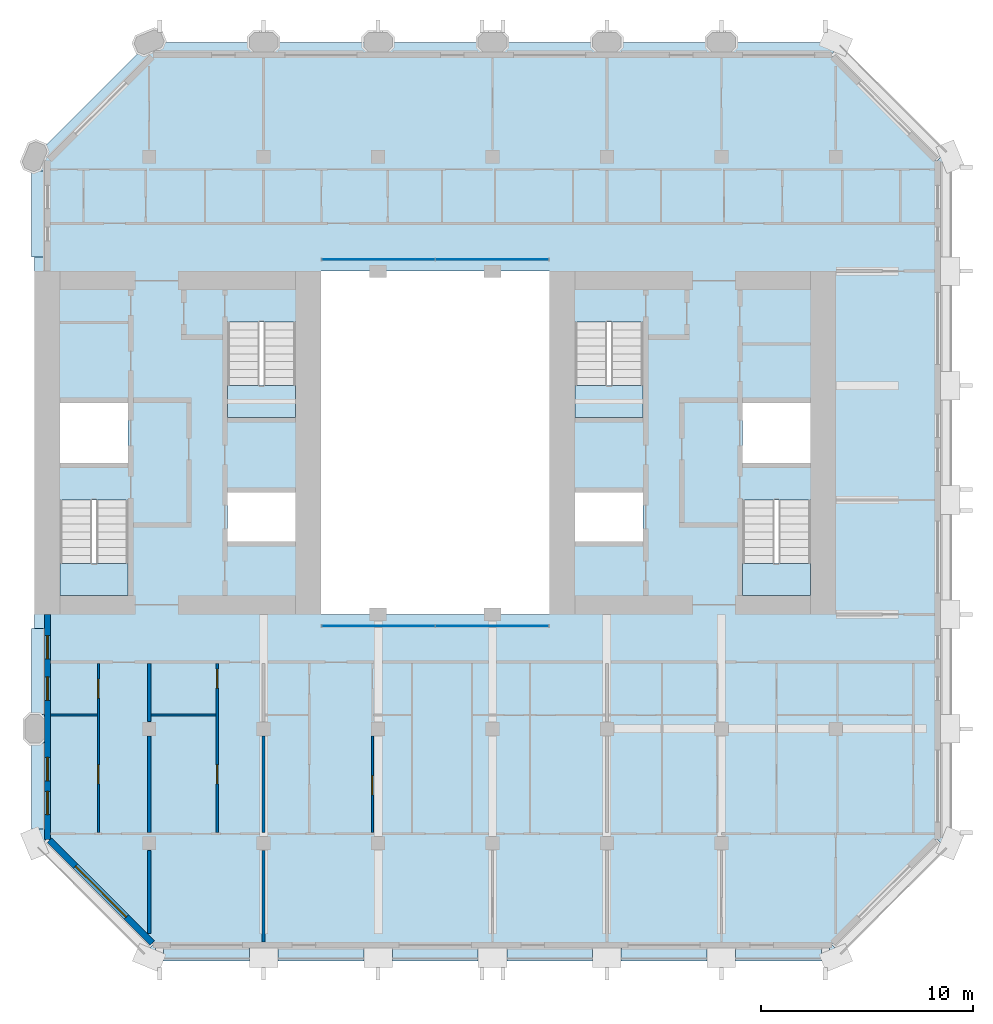
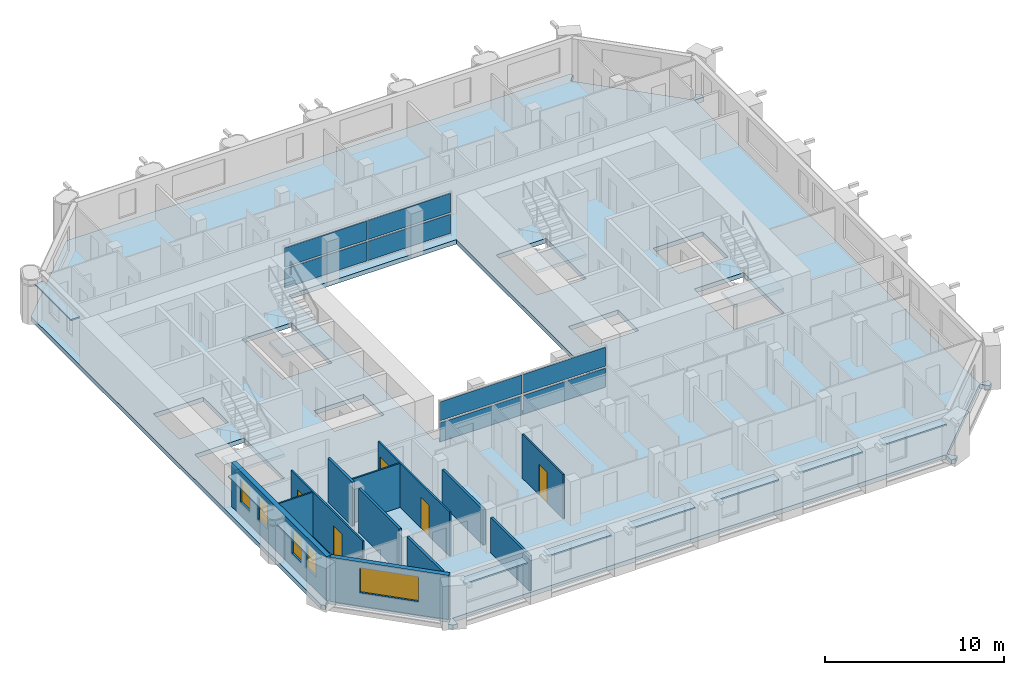
# One storey, part 5 of 14: 17 plates, 12 walls, 5 doors, 5 slabs, 5 windows, 10 openings, 6 elements without a shape of their own.
"""IFC4 building model written with IfcOpenShell, lengths in metres."""

from ifc_helpers import new_model, si_unit, direction, frame, frame_2d, origin, origin_2d, place, context, subcontext, project, spatial, polyline, rectangle, outline, extrude, material, layer, layer_set, type_object, element, fill, aggregate, save


model = new_model("IFC4")

# Units and contexts
model_context = context("Model", 3, precision=1e-05, world=origin(), true_north=direction((0.0, 1.0)))
body_context = subcontext(model_context, "Body", "Model", "MODEL_VIEW")
ifc_project = project(units=[si_unit("LENGTHUNIT", "METRE"), si_unit("AREAUNIT", "SQUARE_METRE"), si_unit("VOLUMEUNIT", "CUBIC_METRE"), si_unit("PLANEANGLEUNIT", "RADIAN"), si_unit("MASSUNIT", "GRAM", prefix="KILO")], contexts=[model_context])

# Site, building, storey
site_placement = place(None, origin())
site = spatial("IfcSite", under=ifc_project, at=site_placement, CompositionType="ELEMENT")
building_placement = place(site_placement, origin())
building = spatial("IfcBuilding", under=site, at=building_placement, Name="Tabaq Tower and Sports Hall", CompositionType="ELEMENT")
storey_placement = place(building_placement, frame((0.0, 0.0, 285.10009765625)))
storey = spatial("IfcBuildingStorey", under=building, at=storey_placement, Name="L70", CompositionType="ELEMENT", Elevation=285.10009765625)

# Curtain wall, plates
ifc_material_1 = material(Name="Aluminium alloy 6063-T6 framed glazing", Category="aluminium")
curtain_wall_type = type_object("IfcCurtainWallType", Name="CW1 curtain wall", PredefinedType="USERDEFINED", material=ifc_material_1)
curtain_wall_1_placement = place(storey_placement, origin())
curtain_wall_1 = element("IfcCurtainWall", 1, at=curtain_wall_1_placement, inside=storey, type_object=curtain_wall_type, Name="Atrium glazing L70 S", ObjectType="ATRIUM ENCLOSURE", PredefinedType="USERDEFINED")
ifc_material_2 = material(Name="Clear low-emissivity glass 28 mm", Category="glass")
ifc_layer_1 = layer(ifc_material_2, 0.028076171875)
ifc_layer_set_1 = layer_set([ifc_layer_1], Name="CW1 glass panel 28")
plate_type_1 = type_object("IfcPlateType", Name="CW1 glass panel 28", PredefinedType="CURTAIN_PANEL", material=ifc_layer_set_1)
plate_1_placement = place(storey_placement, frame((21.614990234375, 15.64990234375, 0.139892578125), z_axis=(0.0, 0.0, 1.0), x_axis=(1.0, 0.0, 0.0)))
plate_1 = element("IfcPlate", 2, at=plate_1_placement, type_object=plate_type_1, Name="CW1 panel 1.1", PredefinedType="CURTAIN_PANEL", context=body_context, shape_type="SweptSolid", body=[
    extrude(rectangle(XDim=5.31005859375, YDim=0.028076171875, at=origin_2d()), origin(), (0.0, 0.0, 1.0), 1.2900390625),
])
plate_2_placement = place(storey_placement, frame((21.614990234375, 15.64990234375, 1.56982421875), z_axis=(0.0, 0.0, 1.0), x_axis=(1.0, 0.0, 0.0)))
plate_2 = element("IfcPlate", 3, at=plate_2_placement, type_object=plate_type_1, Name="CW1 panel 1.2", PredefinedType="CURTAIN_PANEL", context=body_context, shape_type="SweptSolid", body=[
    extrude(rectangle(XDim=5.31005859375, YDim=0.028076171875, at=origin_2d()), origin(), (0.0, 0.0, 1.0), 1.2900390625),
])
plate_3_placement = place(storey_placement, frame((26.985107421875, 15.64990234375, 0.139892578125), z_axis=(0.0, 0.0, 1.0), x_axis=(1.0, 0.0, 0.0)))
plate_3 = element("IfcPlate", 4, at=plate_3_placement, type_object=plate_type_1, Name="CW1 panel 2.1", PredefinedType="CURTAIN_PANEL", context=body_context, shape_type="SweptSolid", body=[
    extrude(rectangle(XDim=5.31005859375, YDim=0.028076171875, at=origin_2d()), origin(), (0.0, 0.0, 1.0), 1.2900390625),
])
plate_4_placement = place(storey_placement, frame((26.985107421875, 15.64990234375, 1.56982421875), z_axis=(0.0, 0.0, 1.0), x_axis=(1.0, 0.0, 0.0)))
plate_4 = element("IfcPlate", 5, at=plate_4_placement, type_object=plate_type_1, Name="CW1 panel 2.2", PredefinedType="CURTAIN_PANEL", context=body_context, shape_type="SweptSolid", body=[
    extrude(rectangle(XDim=5.31005859375, YDim=0.028076171875, at=origin_2d()), origin(), (0.0, 0.0, 1.0), 1.2900390625),
])
aggregate(curtain_wall_1, [plate_1, plate_2, plate_3, plate_4])

curtain_wall_2_placement = place(storey_placement, origin())
curtain_wall_2 = element("IfcCurtainWall", 6, at=curtain_wall_2_placement, inside=storey, type_object=curtain_wall_type, Name="Atrium glazing L70 N", ObjectType="ATRIUM ENCLOSURE", PredefinedType="USERDEFINED")
plate_5_placement = place(storey_placement, frame((21.614990234375, 32.949951171875, 0.139892578125), z_axis=(0.0, 0.0, 1.0), x_axis=(1.0, 0.0, 0.0)))
plate_5 = element("IfcPlate", 7, at=plate_5_placement, type_object=plate_type_1, Name="CW1 panel 1.1", PredefinedType="CURTAIN_PANEL", context=body_context, shape_type="SweptSolid", body=[
    extrude(rectangle(XDim=5.31005859375, YDim=0.028076171875, at=origin_2d()), origin(), (0.0, 0.0, 1.0), 1.2900390625),
])
plate_6_placement = place(storey_placement, frame((21.614990234375, 32.949951171875, 1.56982421875), z_axis=(0.0, 0.0, 1.0), x_axis=(1.0, 0.0, 0.0)))
plate_6 = element("IfcPlate", 8, at=plate_6_placement, type_object=plate_type_1, Name="CW1 panel 1.2", PredefinedType="CURTAIN_PANEL", context=body_context, shape_type="SweptSolid", body=[
    extrude(rectangle(XDim=5.31005859375, YDim=0.028076171875, at=origin_2d()), origin(), (0.0, 0.0, 1.0), 1.2900390625),
])
plate_7_placement = place(storey_placement, frame((26.985107421875, 32.949951171875, 0.139892578125), z_axis=(0.0, 0.0, 1.0), x_axis=(1.0, 0.0, 0.0)))
plate_7 = element("IfcPlate", 9, at=plate_7_placement, type_object=plate_type_1, Name="CW1 panel 2.1", PredefinedType="CURTAIN_PANEL", context=body_context, shape_type="SweptSolid", body=[
    extrude(rectangle(XDim=5.31005859375, YDim=0.028076171875, at=origin_2d()), origin(), (0.0, 0.0, 1.0), 1.2900390625),
])
plate_8_placement = place(storey_placement, frame((26.985107421875, 32.949951171875, 1.56982421875), z_axis=(0.0, 0.0, 1.0), x_axis=(1.0, 0.0, 0.0)))
plate_8 = element("IfcPlate", 10, at=plate_8_placement, type_object=plate_type_1, Name="CW1 panel 2.2", PredefinedType="CURTAIN_PANEL", context=body_context, shape_type="SweptSolid", body=[
    extrude(rectangle(XDim=5.31005859375, YDim=0.028076171875, at=origin_2d()), origin(), (0.0, 0.0, 1.0), 1.2900390625),
])
aggregate(curtain_wall_2, [plate_5, plate_6, plate_7, plate_8])

# Stair, slab
ifc_material_3 = material(Name="Concrete C40/50", Category="concrete")
stair_type = type_object("IfcStairType", Name="Exit stair", PredefinedType="HALF_TURN_STAIR", material=ifc_material_3)
stair_1_placement = place(storey_placement, origin())
stair_1 = element("IfcStair", 11, at=stair_1_placement, inside=storey, type_object=stair_type, Name="L70 Exit stair ST1", PredefinedType="HALF_TURN_STAIR")
ifc_material_4 = material(Name="Concrete C40/50", Category="concrete")
ifc_layer_2 = layer(ifc_material_4, 0.199951171875)
ifc_layer_set_2 = layer_set([ifc_layer_2], Name="Exit stair landing")
slab_type_1 = type_object("IfcSlabType", Name="Exit stair landing", PredefinedType="LANDING", material=ifc_layer_set_2)
slab_1_placement = place(storey_placement, frame((0.0, 0.0, 1.449951171875)))
slab_1 = element("IfcSlab", 12, at=slab_1_placement, type_object=slab_type_1, Name="ST1 landing 1", PredefinedType="LANDING", context=body_context, shape_type="SweptSolid", body=[
    extrude(outline(polyline([(6.60009765625, 18.60009765625), (6.60009765625, 17.10009765625), (9.800048828125, 17.10009765625), (9.800048828125, 18.60009765625), (6.60009765625, 18.60009765625)])), origin(), (0.0, 0.0, 1.0), 0.199951171875),
])
aggregate(stair_1, [slab_1])

stair_2_placement = place(storey_placement, origin())
stair_2 = element("IfcStair", 13, at=stair_2_placement, inside=storey, type_object=stair_type, Name="L70 Exit stair ST2", PredefinedType="HALF_TURN_STAIR")
slab_2_placement = place(storey_placement, frame((0.0, 0.0, 1.449951171875)))
slab_2 = element("IfcSlab", 14, at=slab_2_placement, type_object=slab_type_1, Name="ST2 landing 1", PredefinedType="LANDING", context=body_context, shape_type="SweptSolid", body=[
    extrude(outline(polyline([(14.5, 27.0), (14.5, 25.5), (17.699951171875, 25.5), (17.699951171875, 27.0), (14.5, 27.0)])), origin(), (0.0, 0.0, 1.0), 0.199951171875),
])
aggregate(stair_2, [slab_2])

stair_3_placement = place(storey_placement, origin())
stair_3 = element("IfcStair", 15, at=stair_3_placement, inside=storey, type_object=stair_type, Name="L70 Exit stair ST3", PredefinedType="HALF_TURN_STAIR")
slab_3_placement = place(storey_placement, frame((0.0, 0.0, 1.449951171875)))
slab_3 = element("IfcSlab", 16, at=slab_3_placement, type_object=slab_type_1, Name="ST3 landing 1", PredefinedType="LANDING", context=body_context, shape_type="SweptSolid", body=[
    extrude(outline(polyline([(38.800048828125, 18.60009765625), (38.800048828125, 17.10009765625), (42.0, 17.10009765625), (42.0, 18.60009765625), (38.800048828125, 18.60009765625)])), origin(), (0.0, 0.0, 1.0), 0.199951171875),
])
aggregate(stair_3, [slab_3])

stair_4_placement = place(storey_placement, origin())
stair_4 = element("IfcStair", 17, at=stair_4_placement, inside=storey, type_object=stair_type, Name="L70 Exit stair ST4", PredefinedType="HALF_TURN_STAIR")
slab_4_placement = place(storey_placement, frame((0.0, 0.0, 1.449951171875)))
slab_4 = element("IfcSlab", 18, at=slab_4_placement, type_object=slab_type_1, Name="ST4 landing 1", PredefinedType="LANDING", context=body_context, shape_type="SweptSolid", body=[
    extrude(outline(polyline([(30.89990234375, 27.0), (30.89990234375, 25.5), (34.10009765625, 25.5), (34.10009765625, 27.0), (30.89990234375, 27.0)])), origin(), (0.0, 0.0, 1.0), 0.199951171875),
])
aggregate(stair_4, [slab_4])

# Slab
ifc_material_5 = material(Name="Concrete C40/50", Category="concrete")
ifc_layer_3 = layer(ifc_material_5, 0.300048828125)
ifc_layer_set_3 = layer_set([ifc_layer_3], Name="PT FLOOR SLAB 300 C40/50")
slab_type_2 = type_object("IfcSlabType", Name="PT FLOOR SLAB 300 C40/50", PredefinedType="FLOOR", material=ifc_layer_set_3)
slab_5_placement = place(storey_placement, frame((0.0, 0.0, -0.300048828125)))
element("IfcSlab", 19, at=slab_5_placement, inside=storey, type_object=slab_type_2, Name="Floor Slab L70", PredefinedType="FLOOR", context=body_context, shape_type="SweptSolid", body=[
    extrude(outline(polyline([(5.39990234375, 37.800048828125), (5.39990234375, 5.39990234375), (5.57666015625, 5.22314453125), (5.930419921875, 5.57666015625), (6.0009765625, 5.6474609375), (11.01318359375, 0.63525390625), (10.5888671875, 0.211181640625), (10.800048828125, 0.0), (11.0986328125, 0.0), (11.0986328125, 0.5), (11.0986328125, 0.60009765625), (42.9013671875, 0.60009765625), (42.9013671875, 0.5), (42.9013671875, 0.0), (43.199951171875, 0.0), (43.4111328125, 0.211181640625), (42.98681640625, 0.63525390625), (47.964599609375, 5.61328125), (48.035400390625, 5.54248046875), (48.388916015625, 5.18896484375), (48.60009765625, 5.39990234375), (48.60009765625, 5.698486328125), (48.10009765625, 5.698486328125), (48.0, 5.698486328125), (48.0, 37.50146484375), (48.10009765625, 37.50146484375), (48.60009765625, 37.50146484375), (48.60009765625, 37.800048828125), (48.388916015625, 38.010986328125), (48.035400390625, 37.657470703125), (47.964599609375, 37.5869140625), (42.952392578125, 42.598876953125), (43.023193359375, 42.669677734375), (43.376708984375, 43.023193359375), (43.199951171875, 43.199951171875), (10.800048828125, 43.199951171875), (5.39990234375, 37.800048828125)]), holes=[polyline([(6.60009765625, 21.599365234375), (9.800048828125, 21.599365234375), (9.800048828125, 17.10009765625), (6.60009765625, 17.10009765625), (6.60009765625, 21.599365234375)]), polyline([(38.800048828125, 21.599365234375), (42.0, 21.599365234375), (42.0, 17.10009765625), (38.800048828125, 17.10009765625), (38.800048828125, 21.599365234375)]), polyline([(14.5, 21.949951171875), (17.699951171875, 21.949951171875), (17.699951171875, 19.64990234375), (14.5, 19.64990234375), (14.5, 21.949951171875)]), polyline([(30.89990234375, 21.949951171875), (34.10009765625, 21.949951171875), (34.10009765625, 19.64990234375), (30.89990234375, 19.64990234375), (30.89990234375, 21.949951171875)]), polyline([(18.89990234375, 16.199951171875), (18.89990234375, 32.39990234375), (29.699951171875, 32.39990234375), (29.699951171875, 16.199951171875), (18.89990234375, 16.199951171875)]), polyline([(6.60009765625, 26.175048828125), (9.800048828125, 26.175048828125), (9.800048828125, 23.35009765625), (6.60009765625, 23.35009765625), (6.60009765625, 26.175048828125)]), polyline([(38.800048828125, 26.175048828125), (42.0, 26.175048828125), (42.0, 23.35009765625), (38.800048828125, 23.35009765625), (38.800048828125, 26.175048828125)]), polyline([(17.699951171875, 29.99951171875), (17.699951171875, 25.5), (14.5, 25.5), (14.5, 29.99951171875), (17.699951171875, 29.99951171875)]), polyline([(34.10009765625, 29.99951171875), (34.10009765625, 25.5), (30.89990234375, 25.5), (30.89990234375, 29.99951171875), (34.10009765625, 29.99951171875)])]), origin(), (0.0, 0.0, 1.0), 0.300048828125),
])

# Plates
ifc_material_6 = material(Name="White precast concrete C60/75 blade", Category="concrete")
ifc_layer_4 = layer(ifc_material_6, 0.10009765625)
ifc_layer_set_4 = layer_set([ifc_layer_4], Name="White precast concrete C60/75 sunshade 100")
plate_type_2 = type_object("IfcPlateType", Name="White precast concrete C60/75 sunshade 100", PredefinedType="USERDEFINED", material=ifc_layer_set_4)
for number, where, z_axis, x_axis, name in (
    (20, (13.5, 0.14990234375, 2.599853515625), (0.0, 0.0, 1.0), (1.0, 0.0, 0.0), "Sunshade L70 S"),
    (21, (18.89990234375, 0.14990234375, 2.599853515625), (0.0, 0.0, 1.0), (1.0, 0.0, 0.0), "Sunshade L70 S"),
    (22, (24.300048828125, 0.14990234375, 2.599853515625), (0.0, 0.0, 1.0), (1.0, 0.0, 0.0), "Sunshade L70 S"),
    (23, (29.699951171875, 0.14990234375, 2.599853515625), (0.0, 0.0, 1.0), (1.0, 0.0, 0.0), "Sunshade L70 S"),
    (24, (35.10009765625, 0.14990234375, 2.599853515625), (0.0, 0.0, 1.0), (1.0, 0.0, 0.0), "Sunshade L70 S"),
    (25, (40.5, 0.14990234375, 2.599853515625), (0.0, 0.0, 1.0), (1.0, 0.0, 0.0), "Sunshade L70 S"),
    (26, (5.550048828125, 35.10009765625, 2.599853515625), (0.0, 0.0, 1.0), (0.0, -1.0, 0.0), "Sunshade L70 W"),
    (27, (5.550048828125, 13.5, 2.599853515625), (0.0, 0.0, 1.0), (0.0, -1.0, 0.0), "Sunshade L70 W"),
    (28, (5.550048828125, 8.10009765625, 2.599853515625), (0.0, 0.0, 1.0), (0.0, -1.0, 0.0), "Sunshade L70 W"),
):
    element("IfcPlate", number, at=place(storey_placement, frame(where, z_axis=z_axis, x_axis=x_axis)), inside=storey, type_object=plate_type_2, Name=name, ObjectType="SUNSHADE", PredefinedType="USERDEFINED", context=body_context, shape_type="SweptSolid", body=[
        extrude(rectangle(XDim=4.050048828125, YDim=0.60009765625, at=origin_2d()), origin(), (0.0, 0.0, 1.0), 0.10009765625),
    ])

# Wall
ifc_material_7 = material(Name="Gypsum board on steel studs", Category="steel")
ifc_layer_5 = layer(ifc_material_7, 0.10009765625)
ifc_layer_set_5 = layer_set([ifc_layer_5], Name="Partition 100 Gypsum board")
wall_type_1 = type_object("IfcWallType", Name="Partition 100 Gypsum board", PredefinedType="PARTITIONING", material=ifc_layer_set_5)
wall_1_placement = place(storey_placement, frame((8.35009765625, 11.449951171875, 0.0), z_axis=(0.0, 0.0, 1.0), x_axis=(-1.0, 0.0, 0.0)))
element("IfcWall", 29, at=wall_1_placement, inside=storey, type_object=wall_type_1, Name="Partition wall L70", PredefinedType="PARTITIONING", context=body_context, shape_type="SweptSolid", body=[
    extrude(rectangle(XDim=2.19921875, YDim=0.10009765625, at=frame_2d((1.099609375, 0.0))), origin(), (0.0, 0.0, 1.0), 3.0),
])

# Wall, openings, doors
wall_2_placement = place(storey_placement, frame((8.39990234375, 5.89990234375, 0.0), z_axis=(0.0, 0.0, 1.0), x_axis=(0.0, 1.0, 0.0)))
wall_2 = element("IfcWall", 30, at=wall_2_placement, inside=storey, type_object=wall_type_1, Name="Partition wall L70", PredefinedType="PARTITIONING", context=body_context, shape_type="SweptSolid", body=[
    extrude(rectangle(XDim=7.97509765625, YDim=0.10009765625, at=frame_2d((3.987548828125, 0.0))), origin(), (0.0, 0.0, 1.0), 3.0),
])
opening_1_placement = place(wall_2_placement, frame((6.35009765625, 0.0, 0.0)))
opening_1 = element("IfcOpeningElement", 31, at=opening_1_placement, cuts=wall_2, Name="Opening L70-013", PredefinedType="OPENING", context=body_context, shape_type="SweptSolid", body=[
    extrude(rectangle(XDim=0.89990234375, YDim=2.10009765625, at=frame_2d((0.449951171875, 1.050048828125))), frame((0.0, 0.050048828125, 0.0), z_axis=(0.0, -1.0, 0.0), x_axis=(1.0, 0.0, 0.0)), (0.0, 0.0, 1.0), 0.10009765625),
])
opening_2_placement = place(wall_2_placement, frame((2.300048828125, 0.0, 0.0)))
opening_2 = element("IfcOpeningElement", 32, at=opening_2_placement, cuts=wall_2, Name="Opening L70-036", PredefinedType="OPENING", context=body_context, shape_type="SweptSolid", body=[
    extrude(rectangle(XDim=0.89990234375, YDim=2.10009765625, at=frame_2d((0.449951171875, 1.050048828125))), frame((0.0, 0.050048828125, 0.0), z_axis=(0.0, -1.0, 0.0), x_axis=(1.0, 0.0, 0.0)), (0.0, 0.0, 1.0), 0.10009765625),
])
ifc_material_8 = material(Name="Timber leaf in steel frame", Category="steel")
door_type_1 = type_object("IfcDoorType", Name="Internal door 900 left hand", OperationType="SINGLE_SWING_LEFT", PredefinedType="DOOR", material=ifc_material_8)
door_1_placement = place(opening_1_placement, origin())
door_1 = element("IfcDoor", 33, at=door_1_placement, inside=storey, type_object=door_type_1, Name="Internal door L70-013", OperationType="SINGLE_SWING_LEFT", OverallHeight=2.10009765625, OverallWidth=0.89990234375, PredefinedType="DOOR", context=body_context, shape_type="SweptSolid", body=[
    extrude(rectangle(XDim=0.89990234375, YDim=2.10009765625, at=frame_2d((0.449951171875, 1.050048828125))), frame((0.0, 0.02490234375, 0.0), z_axis=(0.0, -1.0, 0.0), x_axis=(1.0, 0.0, 0.0)), (0.0, 0.0, 1.0), 0.050048828125),
])
fill(opening_1, door_1)
ifc_material_9 = material(Name="Timber leaf in steel frame", Category="steel")
door_type_2 = type_object("IfcDoorType", Name="Internal door 900 right hand", OperationType="SINGLE_SWING_RIGHT", PredefinedType="DOOR", material=ifc_material_9)
door_2_placement = place(opening_2_placement, origin())
door_2 = element("IfcDoor", 34, at=door_2_placement, inside=storey, type_object=door_type_2, Name="Internal door L70-036", OperationType="SINGLE_SWING_RIGHT", OverallHeight=2.10009765625, OverallWidth=0.89990234375, PredefinedType="DOOR", context=body_context, shape_type="SweptSolid", body=[
    extrude(rectangle(XDim=0.89990234375, YDim=2.10009765625, at=frame_2d((0.449951171875, 1.050048828125))), frame((0.0, 0.02490234375, 0.0), z_axis=(0.0, -1.0, 0.0), x_axis=(1.0, 0.0, 0.0)), (0.0, 0.0, 1.0), 0.050048828125),
])
fill(opening_2, door_2)

# Wall
wall_3_placement = place(storey_placement, frame((13.9599609375, 11.449951171875, 0.0), z_axis=(0.0, 0.0, 1.0), x_axis=(-1.0, 0.0, 0.0)))
element("IfcWall", 35, at=wall_3_placement, inside=storey, type_object=wall_type_1, Name="Partition wall L70", PredefinedType="PARTITIONING", context=body_context, shape_type="SweptSolid", body=[
    extrude(rectangle(XDim=3.0849609375, YDim=0.10009765625, at=frame_2d((1.54248046875, 0.0))), origin(), (0.0, 0.0, 1.0), 3.0),
])

# Wall, openings, doors
wall_4_placement = place(storey_placement, frame((14.010009765625, 5.89990234375, 0.0), z_axis=(0.0, 0.0, 1.0), x_axis=(0.0, 1.0, 0.0)))
wall_4 = element("IfcWall", 36, at=wall_4_placement, inside=storey, type_object=wall_type_1, Name="Partition wall L70", PredefinedType="PARTITIONING", context=body_context, shape_type="SweptSolid", body=[
    extrude(rectangle(XDim=7.97509765625, YDim=0.10009765625, at=frame_2d((3.987548828125, 0.0))), origin(), (0.0, 0.0, 1.0), 3.0),
])
opening_3_placement = place(wall_4_placement, frame((6.824951171875, 0.0, 0.0)))
opening_3 = element("IfcOpeningElement", 37, at=opening_3_placement, cuts=wall_4, Name="Opening L70-014", PredefinedType="OPENING", context=body_context, shape_type="SweptSolid", body=[
    extrude(rectangle(XDim=0.89990234375, YDim=2.10009765625, at=frame_2d((0.449951171875, 1.050048828125))), frame((0.0, 0.050048828125, 0.0), z_axis=(0.0, -1.0, 0.0), x_axis=(1.0, 0.0, 0.0)), (0.0, 0.0, 1.0), 0.10009765625),
])
opening_4_placement = place(wall_4_placement, frame((2.300048828125, 0.0, 0.0)))
opening_4 = element("IfcOpeningElement", 38, at=opening_4_placement, cuts=wall_4, Name="Opening L70-039", PredefinedType="OPENING", context=body_context, shape_type="SweptSolid", body=[
    extrude(rectangle(XDim=0.89990234375, YDim=2.10009765625, at=frame_2d((0.449951171875, 1.050048828125))), frame((0.0, 0.050048828125, 0.0), z_axis=(0.0, -1.0, 0.0), x_axis=(1.0, 0.0, 0.0)), (0.0, 0.0, 1.0), 0.10009765625),
])
door_3_placement = place(opening_4_placement, origin())
door_3 = element("IfcDoor", 39, at=door_3_placement, inside=storey, type_object=door_type_1, Name="Internal door L70-039", OperationType="SINGLE_SWING_LEFT", OverallHeight=2.10009765625, OverallWidth=0.89990234375, PredefinedType="DOOR", context=body_context, shape_type="SweptSolid", body=[
    extrude(rectangle(XDim=0.89990234375, YDim=2.10009765625, at=frame_2d((0.449951171875, 1.050048828125))), frame((0.0, 0.02490234375, 0.0), z_axis=(0.0, -1.0, 0.0), x_axis=(1.0, 0.0, 0.0)), (0.0, 0.0, 1.0), 0.050048828125),
])
fill(opening_4, door_3)
door_4_placement = place(opening_3_placement, origin())
door_4 = element("IfcDoor", 40, at=door_4_placement, inside=storey, type_object=door_type_2, Name="Internal door L70-014", OperationType="SINGLE_SWING_RIGHT", OverallHeight=2.10009765625, OverallWidth=0.89990234375, PredefinedType="DOOR", context=body_context, shape_type="SweptSolid", body=[
    extrude(rectangle(XDim=0.89990234375, YDim=2.10009765625, at=frame_2d((0.449951171875, 1.050048828125))), frame((0.0, 0.02490234375, 0.0), z_axis=(0.0, -1.0, 0.0), x_axis=(1.0, 0.0, 0.0)), (0.0, 0.0, 1.0), 0.050048828125),
])
fill(opening_3, door_4)

# Wall, opening, door
wall_5_placement = place(storey_placement, frame((21.3310546875, 5.89990234375, 0.0), z_axis=(0.0, 0.0, 1.0), x_axis=(0.0, 1.0, 0.0)))
wall_5 = element("IfcWall", 41, at=wall_5_placement, inside=storey, type_object=wall_type_1, Name="Partition wall L70", PredefinedType="PARTITIONING", context=body_context, shape_type="SweptSolid", body=[
    extrude(rectangle(XDim=4.55517578125, YDim=0.10009765625, at=frame_2d((2.277587890625, 0.0))), origin(), (0.0, 0.0, 1.0), 3.0),
])
opening_5_placement = place(wall_5_placement, frame((1.787109375, 0.0, 0.0)))
opening_5 = element("IfcOpeningElement", 42, at=opening_5_placement, cuts=wall_5, Name="Opening L70-017", PredefinedType="OPENING", context=body_context, shape_type="SweptSolid", body=[
    extrude(rectangle(XDim=0.89990234375, YDim=2.10009765625, at=frame_2d((0.449951171875, 1.050048828125))), frame((0.0, 0.050048828125, 0.0), z_axis=(0.0, -1.0, 0.0), x_axis=(1.0, 0.0, 0.0)), (0.0, 0.0, 1.0), 0.10009765625),
])
door_5_placement = place(opening_5_placement, origin())
door_5 = element("IfcDoor", 43, at=door_5_placement, inside=storey, type_object=door_type_2, Name="Internal door L70-017", OperationType="SINGLE_SWING_RIGHT", OverallHeight=2.10009765625, OverallWidth=0.89990234375, PredefinedType="DOOR", context=body_context, shape_type="SweptSolid", body=[
    extrude(rectangle(XDim=0.89990234375, YDim=2.10009765625, at=frame_2d((0.449951171875, 1.050048828125))), frame((0.0, 0.02490234375, 0.0), z_axis=(0.0, -1.0, 0.0), x_axis=(1.0, 0.0, 0.0)), (0.0, 0.0, 1.0), 0.050048828125),
])
fill(opening_5, door_5)

# Walls
ifc_material_10 = material(Name="Blockwork", Category="masonry")
ifc_layer_6 = layer(ifc_material_10, 0.14990234375)
ifc_layer_set_6 = layer_set([ifc_layer_6], Name="Separating wall 150 Blockwork")
wall_type_2 = type_object("IfcWallType", Name="Separating wall 150 Blockwork", PredefinedType="PARTITIONING", material=ifc_layer_set_6)
wall_6_placement = place(storey_placement, frame((10.800048828125, 1.13720703125, 0.0), z_axis=(0.0, 0.0, 1.0), x_axis=(0.0, 1.0, 0.0)))
element("IfcWall", 44, at=wall_6_placement, inside=storey, type_object=wall_type_2, Name="Separating wall L70", PredefinedType="PARTITIONING", context=body_context, shape_type="SweptSolid", body=[
    extrude(rectangle(XDim=3.917724609375, YDim=0.14990234375, at=frame_2d((1.958984375, 0.0))), origin(), (0.0, 0.0, 1.0), 3.0),
])
wall_7_placement = place(storey_placement, frame((10.800048828125, 5.89990234375, 0.0), z_axis=(0.0, 0.0, 1.0), x_axis=(0.0, 1.0, 0.0)))
element("IfcWall", 45, at=wall_7_placement, inside=storey, type_object=wall_type_2, Name="Separating wall L70", PredefinedType="PARTITIONING", context=body_context, shape_type="SweptSolid", body=[
    extrude(rectangle(XDim=4.55517578125, YDim=0.14990234375, at=frame_2d((2.277587890625, 0.0))), origin(), (0.0, 0.0, 1.0), 3.0),
])
wall_8_placement = place(storey_placement, frame((10.800048828125, 11.14501953125, 0.0), z_axis=(0.0, 0.0, 1.0), x_axis=(0.0, 1.0, 0.0)))
element("IfcWall", 46, at=wall_8_placement, inside=storey, type_object=wall_type_2, Name="Separating wall L70", PredefinedType="PARTITIONING", context=body_context, shape_type="SweptSolid", body=[
    extrude(rectangle(XDim=2.72998046875, YDim=0.14990234375, at=frame_2d((1.364990234375, 0.0))), origin(), (0.0, 0.0, 1.0), 3.0),
])
wall_9_placement = place(storey_placement, frame((16.199951171875, 0.7509765625, 0.0), z_axis=(0.0, 0.0, 1.0), x_axis=(0.0, 1.0, 0.0)))
element("IfcWall", 47, at=wall_9_placement, inside=storey, type_object=wall_type_2, Name="Separating wall L70", PredefinedType="PARTITIONING", context=body_context, shape_type="SweptSolid", body=[
    extrude(rectangle(XDim=4.303955078125, YDim=0.14990234375, at=frame_2d((2.15185546875, 0.0))), origin(), (0.0, 0.0, 1.0), 2.39990234375),
])
wall_10_placement = place(storey_placement, frame((16.199951171875, 5.89990234375, 0.0), z_axis=(0.0, 0.0, 1.0), x_axis=(0.0, 1.0, 0.0)))
element("IfcWall", 48, at=wall_10_placement, inside=storey, type_object=wall_type_2, Name="Separating wall L70", PredefinedType="PARTITIONING", context=body_context, shape_type="SweptSolid", body=[
    extrude(rectangle(XDim=4.55517578125, YDim=0.14990234375, at=frame_2d((2.277587890625, 0.0))), origin(), (0.0, 0.0, 1.0), 2.39990234375),
])

# Wall, openings, windows
ifc_material_11 = material(Name="White precast concrete C60/75", Category="concrete")
ifc_layer_7 = layer(ifc_material_11, 0.300048828125)
ifc_layer_set_7 = layer_set([ifc_layer_7], Name="White precast concrete C60/75 external wall 300")
wall_type_3 = type_object("IfcWallType", Name="White precast concrete C60/75 external wall 300", PredefinedType="SOLIDWALL", material=ifc_layer_set_7)
wall_11_placement = place(storey_placement, frame((6.0, 16.199951171875, 0.0), z_axis=(0.0, 0.0, 1.0), x_axis=(0.0, -1.0, 0.0)))
wall_11 = element("IfcWall", 49, at=wall_11_placement, inside=storey, type_object=wall_type_3, Name="External Wall L70 W", PredefinedType="SOLIDWALL", context=body_context, shape_type="SweptSolid", body=[
    extrude(rectangle(XDim=10.613525390625, YDim=0.300048828125, at=frame_2d((5.306640625, 0.0))), origin(), (0.0, 0.0, 1.0), 3.0),
])
opening_6_placement = place(wall_11_placement, frame((1.0, 0.0, 0.89990234375)))
opening_6 = element("IfcOpeningElement", 50, at=opening_6_placement, cuts=wall_11, Name="Opening W1B", PredefinedType="OPENING", context=body_context, shape_type="SweptSolid", body=[
    extrude(rectangle(XDim=1.10009765625, YDim=1.699951171875, at=frame_2d((0.550048828125, 0.85009765625))), frame((0.0, 0.16015625, 0.0), z_axis=(0.0, -1.0, 0.0), x_axis=(1.0, 0.0, 0.0)), (0.0, 0.0, 1.0), 0.320068359375),
])
opening_7_placement = place(wall_11_placement, frame((2.949951171875, 0.0, 0.89990234375)))
opening_7 = element("IfcOpeningElement", 51, at=opening_7_placement, cuts=wall_11, Name="Opening W1B", PredefinedType="OPENING", context=body_context, shape_type="SweptSolid", body=[
    extrude(rectangle(XDim=1.10009765625, YDim=1.699951171875, at=frame_2d((0.550048828125, 0.85009765625))), frame((0.0, 0.16015625, 0.0), z_axis=(0.0, -1.0, 0.0), x_axis=(1.0, 0.0, 0.0)), (0.0, 0.0, 1.0), 0.320068359375),
])
opening_8_placement = place(wall_11_placement, frame((6.75, 0.0, 0.89990234375)))
opening_8 = element("IfcOpeningElement", 52, at=opening_8_placement, cuts=wall_11, Name="Opening W1B", PredefinedType="OPENING", context=body_context, shape_type="SweptSolid", body=[
    extrude(rectangle(XDim=1.10009765625, YDim=1.699951171875, at=frame_2d((0.550048828125, 0.85009765625))), frame((0.0, 0.16015625, 0.0), z_axis=(0.0, -1.0, 0.0), x_axis=(1.0, 0.0, 0.0)), (0.0, 0.0, 1.0), 0.320068359375),
])
opening_9_placement = place(wall_11_placement, frame((8.35009765625, 0.0, 0.89990234375)))
opening_9 = element("IfcOpeningElement", 53, at=opening_9_placement, cuts=wall_11, Name="Opening W1B", PredefinedType="OPENING", context=body_context, shape_type="SweptSolid", body=[
    extrude(rectangle(XDim=1.10009765625, YDim=1.699951171875, at=frame_2d((0.550048828125, 0.85009765625))), frame((0.0, 0.16015625, 0.0), z_axis=(0.0, -1.0, 0.0), x_axis=(1.0, 0.0, 0.0)), (0.0, 0.0, 1.0), 0.320068359375),
])
ifc_material_12 = material(Name="Aluminium framed clear glazing", Category="aluminium")
window_type_1 = type_object("IfcWindowType", Name="Window W1B", PartitioningType="SINGLE_PANEL", PredefinedType="WINDOW", material=ifc_material_12)
window_1_placement = place(opening_6_placement, origin())
window_1 = element("IfcWindow", 54, at=window_1_placement, inside=storey, type_object=window_type_1, Name="Window W1B L70", OverallHeight=1.699951171875, OverallWidth=1.10009765625, PartitioningType="SINGLE_PANEL", PredefinedType="WINDOW", context=body_context, shape_type="SweptSolid", body=[
    extrude(rectangle(XDim=1.10009765625, YDim=1.699951171875, at=frame_2d((0.550048828125, 0.85009765625))), frame((0.0, 0.030029296875, 0.0), z_axis=(0.0, -1.0, 0.0), x_axis=(1.0, 0.0, 0.0)), (0.0, 0.0, 1.0), 0.06005859375),
])
fill(opening_6, window_1)
window_2_placement = place(opening_7_placement, origin())
window_2 = element("IfcWindow", 55, at=window_2_placement, inside=storey, type_object=window_type_1, Name="Window W1B L70", OverallHeight=1.699951171875, OverallWidth=1.10009765625, PartitioningType="SINGLE_PANEL", PredefinedType="WINDOW", context=body_context, shape_type="SweptSolid", body=[
    extrude(rectangle(XDim=1.10009765625, YDim=1.699951171875, at=frame_2d((0.550048828125, 0.85009765625))), frame((0.0, 0.030029296875, 0.0), z_axis=(0.0, -1.0, 0.0), x_axis=(1.0, 0.0, 0.0)), (0.0, 0.0, 1.0), 0.06005859375),
])
fill(opening_7, window_2)
window_3_placement = place(opening_8_placement, origin())
window_3 = element("IfcWindow", 56, at=window_3_placement, inside=storey, type_object=window_type_1, Name="Window W1B L70", OverallHeight=1.699951171875, OverallWidth=1.10009765625, PartitioningType="SINGLE_PANEL", PredefinedType="WINDOW", context=body_context, shape_type="SweptSolid", body=[
    extrude(rectangle(XDim=1.10009765625, YDim=1.699951171875, at=frame_2d((0.550048828125, 0.85009765625))), frame((0.0, 0.030029296875, 0.0), z_axis=(0.0, -1.0, 0.0), x_axis=(1.0, 0.0, 0.0)), (0.0, 0.0, 1.0), 0.06005859375),
])
fill(opening_8, window_3)
window_4_placement = place(opening_9_placement, origin())
window_4 = element("IfcWindow", 57, at=window_4_placement, inside=storey, type_object=window_type_1, Name="Window W1B L70", OverallHeight=1.699951171875, OverallWidth=1.10009765625, PartitioningType="SINGLE_PANEL", PredefinedType="WINDOW", context=body_context, shape_type="SweptSolid", body=[
    extrude(rectangle(XDim=1.10009765625, YDim=1.699951171875, at=frame_2d((0.550048828125, 0.85009765625))), frame((0.0, 0.030029296875, 0.0), z_axis=(0.0, -1.0, 0.0), x_axis=(1.0, 0.0, 0.0)), (0.0, 0.0, 1.0), 0.06005859375),
])
fill(opening_9, window_4)

# Wall, opening, window
wall_12_placement = place(storey_placement, frame((6.098876953125, 5.549560546875, 0.0), z_axis=(0.0, 0.0, 1.0), x_axis=(0.707106781187, -0.707106781187, 0.0)))
wall_12 = element("IfcWall", 58, at=wall_12_placement, inside=storey, type_object=wall_type_3, Name="External Wall L70 SW", PredefinedType="SOLIDWALL", context=body_context, shape_type="SweptSolid", body=[
    extrude(rectangle(XDim=6.85986328125, YDim=0.300048828125, at=frame_2d((3.429931640625, 0.0))), origin(), (0.0, 0.0, 1.0), 3.0),
])
opening_10_placement = place(wall_12_placement, frame((1.729736328125, 0.0, 0.89990234375)))
opening_10 = element("IfcOpeningElement", 59, at=opening_10_placement, cuts=wall_12, Name="Opening W1A", PredefinedType="OPENING", context=body_context, shape_type="SweptSolid", body=[
    extrude(rectangle(XDim=3.39990234375, YDim=1.699951171875, at=frame_2d((1.699951171875, 0.85009765625))), frame((0.0, 0.16015625, 0.0), z_axis=(0.0, -1.0, 0.0), x_axis=(1.0, 0.0, 0.0)), (0.0, 0.0, 1.0), 0.320068359375),
])
ifc_material_13 = material(Name="Aluminium framed clear glazing", Category="aluminium")
window_type_2 = type_object("IfcWindowType", Name="Window W1A", PartitioningType="SINGLE_PANEL", PredefinedType="WINDOW", material=ifc_material_13)
window_5_placement = place(opening_10_placement, origin())
window_5 = element("IfcWindow", 60, at=window_5_placement, inside=storey, type_object=window_type_2, Name="Window W1A L70", OverallHeight=1.699951171875, OverallWidth=3.39990234375, PartitioningType="SINGLE_PANEL", PredefinedType="WINDOW", context=body_context, shape_type="SweptSolid", body=[
    extrude(rectangle(XDim=3.39990234375, YDim=1.699951171875, at=frame_2d((1.699951171875, 0.85009765625))), frame((0.0, 0.030029296875, 0.0), z_axis=(0.0, -1.0, 0.0), x_axis=(1.0, 0.0, 0.0)), (0.0, 0.0, 1.0), 0.06005859375),
])
fill(opening_10, window_5)

save(model, "model.ifc")
